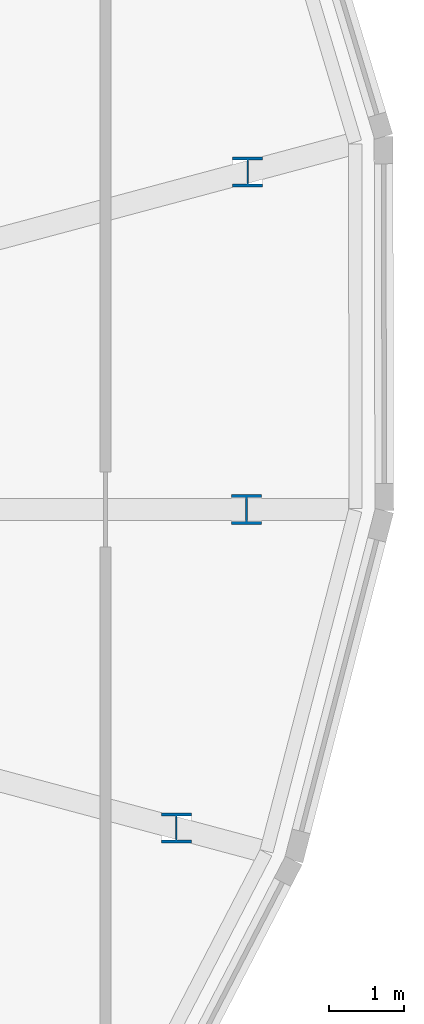
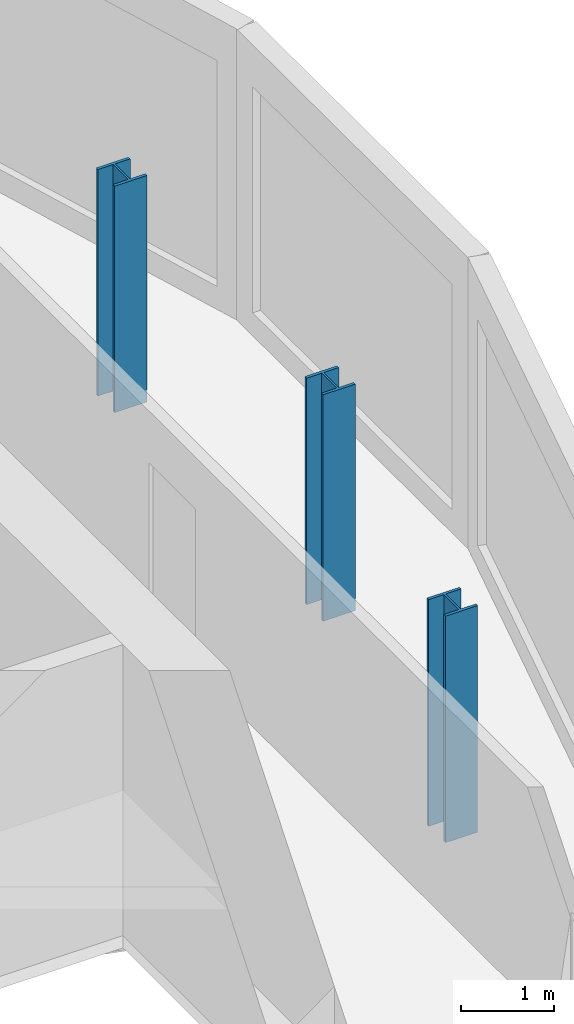
# One storey, part 2 of 38: 3 columns.
"""IFC4 building model written with IfcOpenShell, lengths in metres."""

from ifc_helpers import new_model, si_unit, direction, frame, origin, origin_2d, place, context, subcontext, project, spatial, i_section, extrude, material, material_profile, profile_set, type_object, element, save


model = new_model("IFC4")

# Units and contexts
model_context = context("Model", 3, precision=1e-05, world=origin(), true_north=direction((0.0, 1.0)))
body_context = subcontext(model_context, "Body", "Model", "MODEL_VIEW")
ifc_project = project(units=[si_unit("LENGTHUNIT", "METRE"), si_unit("AREAUNIT", "SQUARE_METRE"), si_unit("VOLUMEUNIT", "CUBIC_METRE"), si_unit("PLANEANGLEUNIT", "RADIAN"), si_unit("MASSUNIT", "GRAM", prefix="KILO")], contexts=[model_context])

# Site, building, storey
site_placement = place(None, origin())
site = spatial("IfcSite", under=ifc_project, at=site_placement, CompositionType="ELEMENT")
building_placement = place(site_placement, origin())
building = spatial("IfcBuilding", under=site, at=building_placement, Name="Rimbun Link Towers", CompositionType="ELEMENT")
storey_placement = place(building_placement, frame((0.0, 0.0, 119.60009765625)))
storey = spatial("IfcBuildingStorey", under=building, at=storey_placement, Name="L29", CompositionType="ELEMENT", Elevation=119.60009765625)

# Columns
ifc_material = material(Name="Steel S355J2", Category="steel")
ifc_material_profile = material_profile(ifc_material, i_section(OverallWidth=0.39892578125, OverallDepth=0.3935546875, WebThickness=0.022705078125, FlangeThickness=0.03662109375, at=origin_2d()), Name="UC 356x406x287")
ifc_profile_set = profile_set([ifc_material_profile], Name="Steel S355J2")
column_type = type_object("IfcColumnType", Name="UC 356x406x287", PredefinedType="COLUMN", material=ifc_profile_set)
for number, where, z_axis, x_axis, name in (
    (1, (47.5419921875, -4.2314453125, -0.16015625), (0.0, 0.0, 1.0), (1.0, 0.0, 0.0), "Crease post T2 L29 20"),
    (2, (48.475341796875, 0.0, -0.16015625), (0.0, 0.0, 1.0), (1.0, 0.0, 0.0), "Crease post T2 L29 21"),
    (3, (48.4892578125, 4.4853515625, -0.16015625), (0.0, 0.0, 1.0), (1.0, 0.0, 0.0), "Crease post T2 L29 22"),
):
    element("IfcColumn", number, at=place(storey_placement, frame(where, z_axis=z_axis, x_axis=x_axis)), inside=storey, type_object=column_type, Name=name, PredefinedType="COLUMN", context=body_context, shape_type="SweptSolid", body=[
        extrude(i_section(OverallWidth=0.39892578125, OverallDepth=0.3935546875, WebThickness=0.022705078125, FlangeThickness=0.03662109375, at=origin_2d()), origin(), (0.0, 0.0, 1.0), 2.95947265625),
    ])

save(model, "model.ifc")
